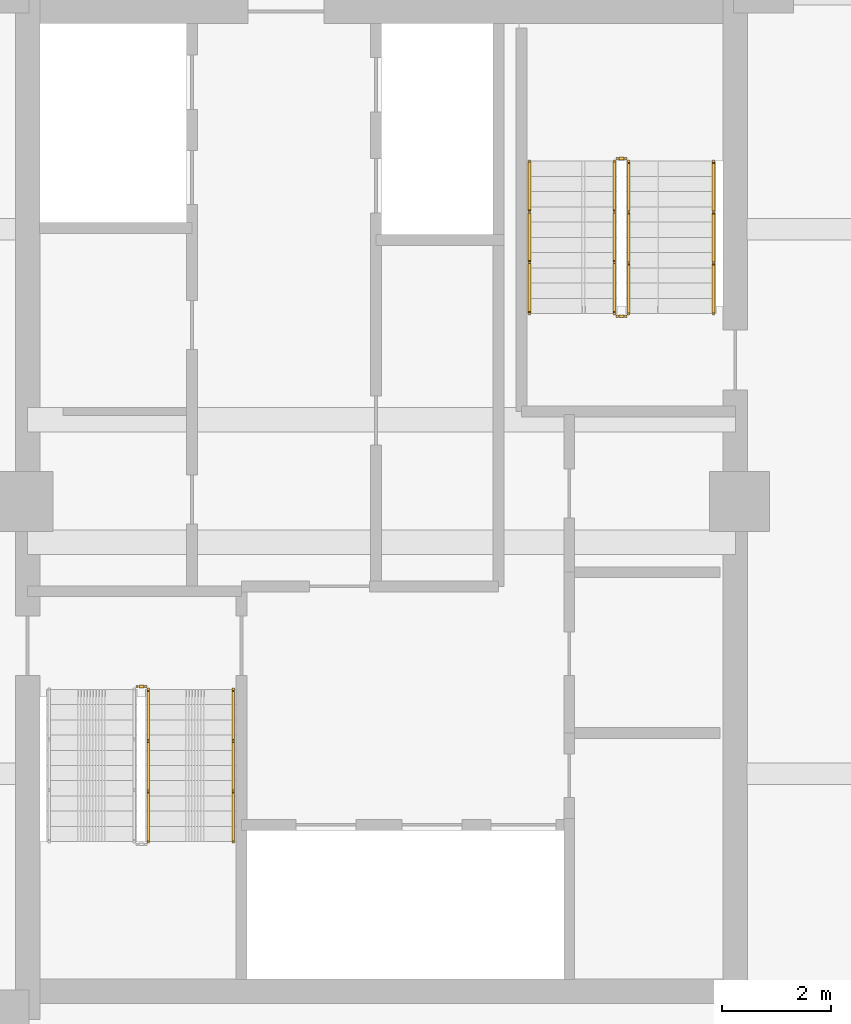
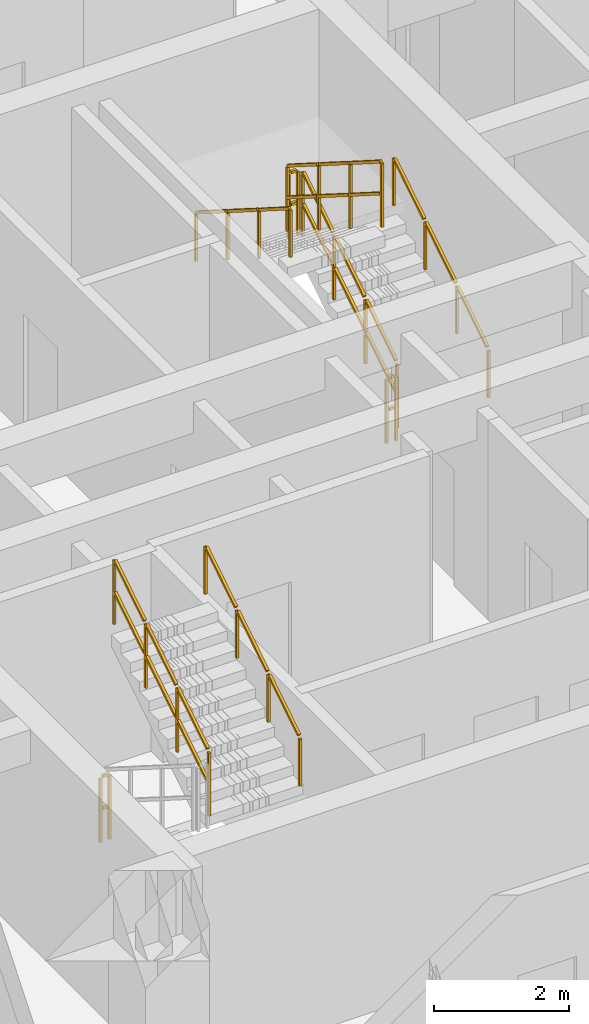
# One storey, part 12 of 14: 9 railings.
"""IFC4 building model written with IfcOpenShell, lengths in metres."""

from ifc_helpers import new_model, si_unit, direction, frame, origin, origin_2d, place, context, subcontext, project, spatial, rectangle, extrude, material, type_object, element, save


model = new_model("IFC4")

# Units and contexts
model_context = context("Model", 3, precision=1e-05, world=origin(), true_north=direction((0.0, 1.0)))
body_context = subcontext(model_context, "Body", "Model", "MODEL_VIEW")
ifc_project = project(units=[si_unit("LENGTHUNIT", "METRE"), si_unit("AREAUNIT", "SQUARE_METRE"), si_unit("VOLUMEUNIT", "CUBIC_METRE"), si_unit("PLANEANGLEUNIT", "RADIAN"), si_unit("MASSUNIT", "GRAM", prefix="KILO")], contexts=[model_context])

# Site, building, storey
site_placement = place(None, origin())
site = spatial("IfcSite", under=ifc_project, at=site_placement, CompositionType="ELEMENT")
building_placement = place(site_placement, origin())
building = spatial("IfcBuilding", under=site, at=building_placement, Name="Saelheon Loggia Tower", CompositionType="ELEMENT")
storey_placement = place(building_placement, frame((0.0, 0.0, 202.60009765625)))
storey = spatial("IfcBuildingStorey", under=building, at=storey_placement, Name="L63", CompositionType="ELEMENT", Elevation=202.60009765625)

# Railings
ifc_material_1 = material(Name="Galvanised Steel S275 Stairwell Guardrail", Category="steel")
railing_type_1 = type_object("IfcRailingType", Name="Guard_StairWell_RL_STG", PredefinedType="GUARDRAIL", material=ifc_material_1)
railing_1_placement = place(storey_placement, frame((33.719970703125, 20.75, 2.127197265625)))
element("IfcRailing", 1, at=railing_1_placement, inside=storey, type_object=railing_type_1, Name="L63 ST1 stair guard 3", PredefinedType="GUARDRAIL", context=body_context, shape_type="SweptSolid", body=[
    extrude(rectangle(XDim=0.048095703125, YDim=0.048095703125, at=origin_2d()), frame((0.0, 0.028076171875, 1.193603515625), z_axis=(0.0, 0.844908973607, 0.534910110503), x_axis=(-1.0, 0.0, 0.0)), (0.0, 0.0, 1.0), 1.0380859375),
    extrude(rectangle(XDim=0.048095703125, YDim=0.048095703125, at=origin_2d()), frame((0.0, 0.028076171875, 0.61767578125), z_axis=(0.0, 0.844908973607, 0.534910110503), x_axis=(-1.0, 0.0, 0.0)), (0.0, 0.0, 1.0), 1.0380859375),
    extrude(rectangle(XDim=0.048095703125, YDim=0.048095703125, at=origin_2d()), frame((0.0, 0.96142578125, 1.78466796875), z_axis=(0.0, 0.844908973607, 0.534910110503), x_axis=(-1.0, 0.0, 0.0)), (0.0, 0.0, 1.0), 1.0380859375),
    extrude(rectangle(XDim=0.048095703125, YDim=0.048095703125, at=origin_2d()), frame((0.0, 0.96142578125, 1.208740234375), z_axis=(0.0, 0.844908973607, 0.534910110503), x_axis=(-1.0, 0.0, 0.0)), (0.0, 0.0, 1.0), 1.0380859375),
    extrude(rectangle(XDim=0.048095703125, YDim=0.048095703125, at=origin_2d()), frame((0.0, 1.894775390625, 2.37548828125), z_axis=(0.0, 0.844908973607, 0.534910110503), x_axis=(-1.0, 0.0, 0.0)), (0.0, 0.0, 1.0), 1.0380859375),
    extrude(rectangle(XDim=0.048095703125, YDim=0.048095703125, at=origin_2d()), frame((0.0, 1.894775390625, 1.799560546875), z_axis=(0.0, 0.844908973607, 0.534910110503), x_axis=(-1.0, 0.0, 0.0)), (0.0, 0.0, 1.0), 1.0380859375),
    extrude(rectangle(XDim=0.0419921875, YDim=0.0419921875, at=origin_2d()), origin(), (0.0, 0.0, 1.0), 1.14794921875),
    extrude(rectangle(XDim=0.0419921875, YDim=0.0419921875, at=origin_2d()), frame((0.0, 0.933349609375, 0.5908203125)), (0.0, 0.0, 1.0), 1.14794921875),
    extrude(rectangle(XDim=0.0419921875, YDim=0.0419921875, at=origin_2d()), frame((0.0, 1.86669921875, 1.181884765625)), (0.0, 0.0, 1.0), 1.14794921875),
    extrude(rectangle(XDim=0.0419921875, YDim=0.0419921875, at=origin_2d()), frame((0.0, 2.800048828125, 1.772705078125)), (0.0, 0.0, 1.0), 1.14794921875),
])
railing_2_placement = place(storey_placement, frame((33.510009765625, 23.60009765625, 0.0)))
element("IfcRailing", 2, at=railing_2_placement, inside=storey, type_object=railing_type_1, Name="L63 ST1 stair guard 4", PredefinedType="GUARDRAIL", context=body_context, shape_type="SweptSolid", body=[
    extrude(rectangle(XDim=0.048095703125, YDim=0.048095703125, at=origin_2d()), frame((0.033203125, 0.0, 1.17578125), z_axis=(1.0, 0.0, 0.0), x_axis=(0.0, 1.0, 0.0)), (0.0, 0.0, 1.0), 0.093505859375),
    extrude(rectangle(XDim=0.048095703125, YDim=0.048095703125, at=origin_2d()), frame((0.033203125, 0.0, 0.60009765625), z_axis=(1.0, 0.0, 0.0), x_axis=(0.0, 1.0, 0.0)), (0.0, 0.0, 1.0), 0.093505859375),
    extrude(rectangle(XDim=0.0419921875, YDim=0.0419921875, at=origin_2d()), origin(), (0.0, 0.0, 1.0), 1.14794921875),
    extrude(rectangle(XDim=0.0419921875, YDim=0.0419921875, at=origin_2d()), frame((0.159912109375, 0.0, 0.0)), (0.0, 0.0, 1.0), 1.14794921875),
])
railing_3_placement = place(storey_placement, frame((42.5400390625, 30.449951171875, 0.17724609375)))
element("IfcRailing", 3, at=railing_3_placement, inside=storey, type_object=railing_type_1, Name="L63 ST2 stair guard 1", PredefinedType="GUARDRAIL", context=body_context, shape_type="SweptSolid", body=[
    extrude(rectangle(XDim=0.048095703125, YDim=0.048095703125, at=origin_2d()), frame((0.0, 0.028076171875, 1.193603515625), z_axis=(0.0, 0.844908973607, 0.534910110503), x_axis=(-1.0, 0.0, 0.0)), (0.0, 0.0, 1.0), 1.0380859375),
    extrude(rectangle(XDim=0.048095703125, YDim=0.048095703125, at=origin_2d()), frame((0.0, 0.028076171875, 0.61767578125), z_axis=(0.0, 0.844908973607, 0.534910110503), x_axis=(-1.0, 0.0, 0.0)), (0.0, 0.0, 1.0), 1.0380859375),
    extrude(rectangle(XDim=0.048095703125, YDim=0.048095703125, at=origin_2d()), frame((0.0, 0.96142578125, 1.78466796875), z_axis=(0.0, 0.844908973607, 0.534910110503), x_axis=(-1.0, 0.0, 0.0)), (0.0, 0.0, 1.0), 1.0380859375),
    extrude(rectangle(XDim=0.048095703125, YDim=0.048095703125, at=origin_2d()), frame((0.0, 0.96142578125, 1.208740234375), z_axis=(0.0, 0.844908973607, 0.534910110503), x_axis=(-1.0, 0.0, 0.0)), (0.0, 0.0, 1.0), 1.0380859375),
    extrude(rectangle(XDim=0.048095703125, YDim=0.048095703125, at=origin_2d()), frame((0.0, 1.894775390625, 2.37548828125), z_axis=(0.0, 0.844908973607, 0.534910110503), x_axis=(-1.0, 0.0, 0.0)), (0.0, 0.0, 1.0), 1.0380859375),
    extrude(rectangle(XDim=0.048095703125, YDim=0.048095703125, at=origin_2d()), frame((0.0, 1.894775390625, 1.799560546875), z_axis=(0.0, 0.844908973607, 0.534910110503), x_axis=(-1.0, 0.0, 0.0)), (0.0, 0.0, 1.0), 1.0380859375),
    extrude(rectangle(XDim=0.0419921875, YDim=0.0419921875, at=origin_2d()), origin(), (0.0, 0.0, 1.0), 1.14794921875),
    extrude(rectangle(XDim=0.0419921875, YDim=0.0419921875, at=origin_2d()), frame((0.0, 0.933349609375, 0.5908203125)), (0.0, 0.0, 1.0), 1.14794921875),
    extrude(rectangle(XDim=0.0419921875, YDim=0.0419921875, at=origin_2d()), frame((0.0, 1.86669921875, 1.181884765625)), (0.0, 0.0, 1.0), 1.14794921875),
    extrude(rectangle(XDim=0.0419921875, YDim=0.0419921875, at=origin_2d()), frame((0.0, 2.800048828125, 1.772705078125)), (0.0, 0.0, 1.0), 1.14794921875),
])
railing_4_placement = place(storey_placement, frame((42.489990234375, 33.300048828125, 1.949951171875)))
element("IfcRailing", 4, at=railing_4_placement, inside=storey, type_object=railing_type_1, Name="L63 ST2 stair guard 2", PredefinedType="GUARDRAIL", context=body_context, shape_type="SweptSolid", body=[
    extrude(rectangle(XDim=0.048095703125, YDim=0.048095703125, at=origin_2d()), frame((-0.033203125, 0.0, 1.17578125), z_axis=(-1.0, 0.0, 0.0), x_axis=(0.0, -1.0, 0.0)), (0.0, 0.0, 1.0), 0.093505859375),
    extrude(rectangle(XDim=0.048095703125, YDim=0.048095703125, at=origin_2d()), frame((-0.033203125, 0.0, 0.60009765625), z_axis=(-1.0, 0.0, 0.0), x_axis=(0.0, -1.0, 0.0)), (0.0, 0.0, 1.0), 0.093505859375),
    extrude(rectangle(XDim=0.0419921875, YDim=0.0419921875, at=origin_2d()), origin(), (0.0, 0.0, 1.0), 1.14794921875),
    extrude(rectangle(XDim=0.0419921875, YDim=0.0419921875, at=origin_2d()), frame((-0.159912109375, 0.0, 0.0)), (0.0, 0.0, 1.0), 1.14794921875),
])
railing_5_placement = place(storey_placement, frame((42.280029296875, 33.25, 2.127197265625)))
element("IfcRailing", 5, at=railing_5_placement, inside=storey, type_object=railing_type_1, Name="L63 ST2 stair guard 3", PredefinedType="GUARDRAIL", context=body_context, shape_type="SweptSolid", body=[
    extrude(rectangle(XDim=0.048095703125, YDim=0.048095703125, at=origin_2d()), frame((0.0, -0.028076171875, 1.193603515625), z_axis=(0.0, -0.844908973607, 0.534910110503), x_axis=(1.0, 0.0, 0.0)), (0.0, 0.0, 1.0), 1.0380859375),
    extrude(rectangle(XDim=0.048095703125, YDim=0.048095703125, at=origin_2d()), frame((0.0, -0.028076171875, 0.61767578125), z_axis=(0.0, -0.844908973607, 0.534910110503), x_axis=(1.0, 0.0, 0.0)), (0.0, 0.0, 1.0), 1.0380859375),
    extrude(rectangle(XDim=0.048095703125, YDim=0.048095703125, at=origin_2d()), frame((0.0, -0.96142578125, 1.78466796875), z_axis=(0.0, -0.844908973607, 0.534910110503), x_axis=(1.0, 0.0, 0.0)), (0.0, 0.0, 1.0), 1.0380859375),
    extrude(rectangle(XDim=0.048095703125, YDim=0.048095703125, at=origin_2d()), frame((0.0, -0.96142578125, 1.208740234375), z_axis=(0.0, -0.844908973607, 0.534910110503), x_axis=(1.0, 0.0, 0.0)), (0.0, 0.0, 1.0), 1.0380859375),
    extrude(rectangle(XDim=0.048095703125, YDim=0.048095703125, at=origin_2d()), frame((0.0, -1.894775390625, 2.37548828125), z_axis=(0.0, -0.844908973607, 0.534910110503), x_axis=(1.0, 0.0, 0.0)), (0.0, 0.0, 1.0), 1.0380859375),
    extrude(rectangle(XDim=0.048095703125, YDim=0.048095703125, at=origin_2d()), frame((0.0, -1.894775390625, 1.799560546875), z_axis=(0.0, -0.844908973607, 0.534910110503), x_axis=(1.0, 0.0, 0.0)), (0.0, 0.0, 1.0), 1.0380859375),
    extrude(rectangle(XDim=0.0419921875, YDim=0.0419921875, at=origin_2d()), origin(), (0.0, 0.0, 1.0), 1.14794921875),
    extrude(rectangle(XDim=0.0419921875, YDim=0.0419921875, at=origin_2d()), frame((0.0, -0.933349609375, 0.5908203125)), (0.0, 0.0, 1.0), 1.14794921875),
    extrude(rectangle(XDim=0.0419921875, YDim=0.0419921875, at=origin_2d()), frame((0.0, -1.86669921875, 1.181884765625)), (0.0, 0.0, 1.0), 1.14794921875),
    extrude(rectangle(XDim=0.0419921875, YDim=0.0419921875, at=origin_2d()), frame((0.0, -2.800048828125, 1.772705078125)), (0.0, 0.0, 1.0), 1.14794921875),
])
railing_6_placement = place(storey_placement, frame((42.489990234375, 30.39990234375, 0.0)))
element("IfcRailing", 6, at=railing_6_placement, inside=storey, type_object=railing_type_1, Name="L63 ST2 stair guard 4", PredefinedType="GUARDRAIL", context=body_context, shape_type="SweptSolid", body=[
    extrude(rectangle(XDim=0.048095703125, YDim=0.048095703125, at=origin_2d()), frame((-0.033203125, 0.0, 1.17578125), z_axis=(-1.0, 0.0, 0.0), x_axis=(0.0, -1.0, 0.0)), (0.0, 0.0, 1.0), 0.093505859375),
    extrude(rectangle(XDim=0.048095703125, YDim=0.048095703125, at=origin_2d()), frame((-0.033203125, 0.0, 0.60009765625), z_axis=(-1.0, 0.0, 0.0), x_axis=(0.0, -1.0, 0.0)), (0.0, 0.0, 1.0), 0.093505859375),
    extrude(rectangle(XDim=0.0419921875, YDim=0.0419921875, at=origin_2d()), origin(), (0.0, 0.0, 1.0), 1.14794921875),
    extrude(rectangle(XDim=0.0419921875, YDim=0.0419921875, at=origin_2d()), frame((-0.159912109375, 0.0, 0.0)), (0.0, 0.0, 1.0), 1.14794921875),
])
ifc_material_2 = material(Name="Stainless Steel 304 Tubular Handrail", Category="steel")
railing_type_2 = type_object("IfcRailingType", Name="Handrail_Stair_RL_HR1", PredefinedType="HANDRAIL", material=ifc_material_2)
for number, where, name in (
    (7, (35.280029296875, 20.75, 2.127197265625), "L63 ST1 stair handrail 2"),
    (8, (44.10009765625, 30.449951171875, 0.17724609375), "L63 ST2 stair handrail 1"),
):
    element("IfcRailing", number, at=place(storey_placement, frame(where)), inside=storey, type_object=railing_type_2, Name=name, PredefinedType="HANDRAIL", context=body_context, shape_type="SweptSolid", body=[
        extrude(rectangle(XDim=0.048095703125, YDim=0.048095703125, at=origin_2d()), frame((0.0, 0.028076171875, 0.8935546875), z_axis=(0.0, 0.844908973607, 0.534910110503), x_axis=(-1.0, 0.0, 0.0)), (0.0, 0.0, 1.0), 1.0380859375),
        extrude(rectangle(XDim=0.048095703125, YDim=0.048095703125, at=origin_2d()), frame((0.0, 0.96142578125, 1.484619140625), z_axis=(0.0, 0.844908973607, 0.534910110503), x_axis=(-1.0, 0.0, 0.0)), (0.0, 0.0, 1.0), 1.0380859375),
        extrude(rectangle(XDim=0.048095703125, YDim=0.048095703125, at=origin_2d()), frame((0.0, 1.894775390625, 2.075439453125), z_axis=(0.0, 0.844908973607, 0.534910110503), x_axis=(-1.0, 0.0, 0.0)), (0.0, 0.0, 1.0), 1.0380859375),
        extrude(rectangle(XDim=0.0419921875, YDim=0.0419921875, at=origin_2d()), origin(), (0.0, 0.0, 1.0), 0.847900390625),
        extrude(rectangle(XDim=0.0419921875, YDim=0.0419921875, at=origin_2d()), frame((0.0, 0.933349609375, 0.5908203125)), (0.0, 0.0, 1.0), 0.847900390625),
        extrude(rectangle(XDim=0.0419921875, YDim=0.0419921875, at=origin_2d()), frame((0.0, 1.86669921875, 1.181884765625)), (0.0, 0.0, 1.0), 0.847900390625),
        extrude(rectangle(XDim=0.0419921875, YDim=0.0419921875, at=origin_2d()), frame((0.0, 2.800048828125, 1.772705078125)), (0.0, 0.0, 1.0), 0.847900390625),
    ])
railing_7_placement = place(storey_placement, frame((40.719970703125, 33.25, 2.127197265625)))
element("IfcRailing", 9, at=railing_7_placement, inside=storey, type_object=railing_type_2, Name="L63 ST2 stair handrail 2", PredefinedType="HANDRAIL", context=body_context, shape_type="SweptSolid", body=[
    extrude(rectangle(XDim=0.048095703125, YDim=0.048095703125, at=origin_2d()), frame((0.0, -0.028076171875, 0.8935546875), z_axis=(0.0, -0.844908973607, 0.534910110503), x_axis=(1.0, 0.0, 0.0)), (0.0, 0.0, 1.0), 1.0380859375),
    extrude(rectangle(XDim=0.048095703125, YDim=0.048095703125, at=origin_2d()), frame((0.0, -0.96142578125, 1.484619140625), z_axis=(0.0, -0.844908973607, 0.534910110503), x_axis=(1.0, 0.0, 0.0)), (0.0, 0.0, 1.0), 1.0380859375),
    extrude(rectangle(XDim=0.048095703125, YDim=0.048095703125, at=origin_2d()), frame((0.0, -1.894775390625, 2.075439453125), z_axis=(0.0, -0.844908973607, 0.534910110503), x_axis=(1.0, 0.0, 0.0)), (0.0, 0.0, 1.0), 1.0380859375),
    extrude(rectangle(XDim=0.0419921875, YDim=0.0419921875, at=origin_2d()), origin(), (0.0, 0.0, 1.0), 0.847900390625),
    extrude(rectangle(XDim=0.0419921875, YDim=0.0419921875, at=origin_2d()), frame((0.0, -0.933349609375, 0.5908203125)), (0.0, 0.0, 1.0), 0.847900390625),
    extrude(rectangle(XDim=0.0419921875, YDim=0.0419921875, at=origin_2d()), frame((0.0, -1.86669921875, 1.181884765625)), (0.0, 0.0, 1.0), 0.847900390625),
    extrude(rectangle(XDim=0.0419921875, YDim=0.0419921875, at=origin_2d()), frame((0.0, -2.800048828125, 1.772705078125)), (0.0, 0.0, 1.0), 0.847900390625),
])

save(model, "model.ifc")
